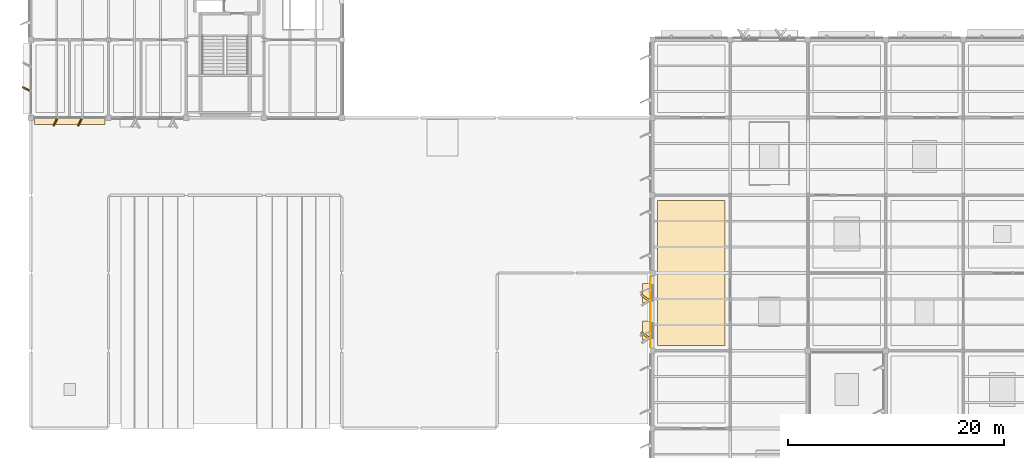
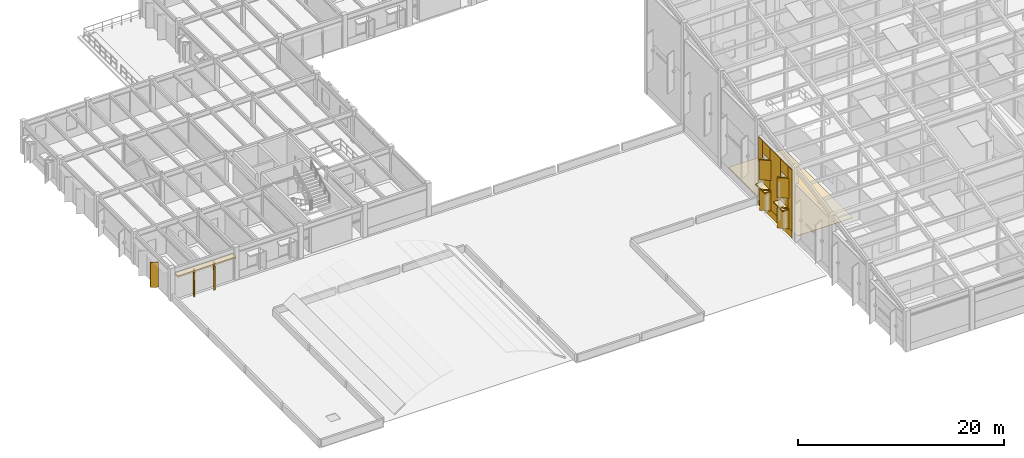
# One storey, part 71 of 82: 17 coverings.
"""IFC4 building model written with IfcOpenShell, lengths in metres."""

import ifcopenshell
import ifcopenshell.guid

model = None  # the IFC model being written
_history = None  # IfcOwnerHistory: only IFC2X3 demands one
_inside = {}  # id of a spatial element -> (the spatial element, [elements in it])
_under = {}  # id of a project, library or spatial element -> (it, [spatial elements below it])
_declared = {}  # id of a project -> (the project, [libraries it declares])
_typed = {}  # id of a type object -> (the type object, [elements of that type])
_made_of = {}  # id of a material, layer set ... -> (it, [elements and type objects made of it])


def new_model(schema):
    """Start an empty IFC model of exactly this schema.

    Asked for "IFC4X3", IfcOpenShell would pick the latest addendum, in which some entities
    have other attributes; the version numbers below select the first issue.
    IFC2X3 requires an IfcOwnerHistory on every rooted entity: one is made here for all.
    """
    global model, _history
    if schema == "IFC4X3":
        model = ifcopenshell.file(schema_version=(4, 3, 0, 0))
    else:
        model = ifcopenshell.file(schema=schema)
    _inside.clear()
    _under.clear()
    _declared.clear()
    _typed.clear()
    _made_of.clear()
    _history = None
    if model.schema == "IFC2X3":
        org = make("IfcOrganization", Name="unknown")
        user = make(
            "IfcPersonAndOrganization",
            ThePerson=make("IfcPerson", FamilyName="unknown"),
            TheOrganization=org,
        )
        app = make(
            "IfcApplication",
            ApplicationDeveloper=org,
            Version="unknown",
            ApplicationFullName="unknown",
            ApplicationIdentifier="unknown",
        )
        _history = make(
            "IfcOwnerHistory",
            OwningUser=user,
            OwningApplication=app,
            ChangeAction="ADDED",
            CreationDate=0,
        )
    return model


def make(cls, **values):
    """One entity of the class cls with the attributes given. An attribute that is None is left unset."""
    return model.create_entity(
        cls, **{name: value for name, value in values.items() if value is not None}
    )


def rooted(cls, **values):
    """An entity with a GlobalId (a new one), such as an element, a storey or a relation."""
    return make(cls, GlobalId=ifcopenshell.guid.new(), OwnerHistory=_history, **values)


def si_unit(unit_type, name, prefix=None):
    """IfcSIUnit, for example si_unit("LENGTHUNIT", "METRE", prefix="MILLI")."""
    return make("IfcSIUnit", UnitType=unit_type, Prefix=prefix, Name=name)


def assignment(units):
    """IfcUnitAssignment: the units of a project."""
    return None if units is None else make("IfcUnitAssignment", Units=units)


def point(xyz):
    """IfcCartesianPoint."""
    return None if xyz is None else make("IfcCartesianPoint", Coordinates=xyz)


def direction(xyz):
    """IfcDirection."""
    return None if xyz is None else make("IfcDirection", DirectionRatios=xyz)


def frame(location, z_axis=None, x_axis=None):
    """IfcAxis2Placement3D, a coordinate frame: its origin and axes. An axis left out is left unset."""
    return make(
        "IfcAxis2Placement3D",
        Location=point(location),
        Axis=direction(z_axis),
        RefDirection=direction(x_axis),
    )


def frame_2d(location, x_axis=None):
    """IfcAxis2Placement2D, a coordinate frame in the plane: its origin and x axis."""
    return make(
        "IfcAxis2Placement2D", Location=point(location), RefDirection=direction(x_axis)
    )


def origin():
    """The frame at (0, 0, 0) with its axes left unset."""
    return frame((0.0, 0.0, 0.0))


def place(relative_to, where):
    """IfcLocalPlacement: puts the frame where relative to a parent placement (None: the world)."""
    return make(
        "IfcLocalPlacement", PlacementRelTo=relative_to, RelativePlacement=where
    )


def context(
    kind, dimensions, precision=None, world=None, true_north=None, identifier=None
):
    """IfcGeometricRepresentationContext, for example the 3D "Model" context."""
    return make(
        "IfcGeometricRepresentationContext",
        ContextIdentifier=identifier,
        ContextType=kind,
        CoordinateSpaceDimension=dimensions,
        Precision=precision,
        WorldCoordinateSystem=world,
        TrueNorth=true_north,
    )


def subcontext(parent, identifier, kind, view, scale=None):
    """IfcGeometricRepresentationSubContext, for example "Body" below "Model"."""
    return make(
        "IfcGeometricRepresentationSubContext",
        ContextIdentifier=identifier,
        ContextType=kind,
        ParentContext=parent,
        TargetScale=scale,
        TargetView=view,
    )


def project(units=None, contexts=None):
    """IfcProject with its units and contexts."""
    return rooted(
        "IfcProject",
        Name="project",
        RepresentationContexts=contexts,
        UnitsInContext=assignment(units),
    )


def spatial(cls, under=None, at=None, **own):
    """A site, building, storey or space (cls), placed at a placement, below another one or the project."""
    s = rooted(cls, ObjectPlacement=at, **own)
    if under is not None:
        _under.setdefault(under.id(), (under, []))[1].append(s)
    return s


def polyline(points):
    """IfcPolyline through the points."""
    return make("IfcPolyline", Points=[point(p) for p in points])


def profile(cls, at=None, kind="AREA", **sizes):
    """A parametric profile (cls). Its sizes go by their IFC names, for example OverallWidth=200.0."""
    return make(cls, ProfileType=kind, Position=at, **sizes)


def rectangle(**sizes):
    """IfcRectangleProfileDef."""
    return profile("IfcRectangleProfileDef", **sizes)


def outline(outer, holes=None, kind="AREA"):
    """IfcArbitraryClosedProfileDef: a profile drawn as a closed curve; with holes, ...WithVoids."""
    if holes is None:
        return make("IfcArbitraryClosedProfileDef", ProfileType=kind, OuterCurve=outer)
    return make(
        "IfcArbitraryProfileDefWithVoids",
        ProfileType=kind,
        OuterCurve=outer,
        InnerCurves=holes,
    )


def extrude(swept, where, along, depth):
    """IfcExtrudedAreaSolid: the profile swept, set in the frame where, extruded along a direction by depth."""
    return make(
        "IfcExtrudedAreaSolid",
        SweptArea=swept,
        Position=where,
        ExtrudedDirection=direction(along),
        Depth=depth,
    )


def shape(context_of_items, identifier, shape_type, items):
    """IfcShapeRepresentation: the items that make up one representation, for example the "Body"."""
    return make(
        "IfcShapeRepresentation",
        ContextOfItems=context_of_items,
        RepresentationIdentifier=identifier,
        RepresentationType=shape_type,
        Items=items,
    )


def material(Name=None, Category=None):
    """IfcMaterial."""
    return make("IfcMaterial", Name=Name, Category=Category)


def layer(
    of_material, thickness, ventilated=None, Name=None, Category=None, Priority=None
):
    """IfcMaterialLayer: one layer of a wall or slab, of a material (None: an air gap)."""
    return make(
        "IfcMaterialLayer",
        Material=of_material,
        LayerThickness=thickness,
        IsVentilated=ventilated,
        Name=Name,
        Category=Category,
        Priority=Priority,
    )


def layer_set(layers, Name=None):
    """IfcMaterialLayerSet."""
    return make("IfcMaterialLayerSet", MaterialLayers=layers, LayerSetName=Name)


def made_of(thing, what):
    """Note that an element or type object is made of a material, layer set ...; save() writes the relation."""
    if what is not None:
        _made_of.setdefault(what.id(), (what, []))[1].append(thing)
    return thing


def type_object(cls, material=None, **own):
    """A type object (cls), such as IfcWallType, which elements share."""
    return made_of(rooted(cls, **own), material)


def element(
    cls,
    number,
    at=None,
    inside=None,
    cuts=None,
    type_object=None,
    material=None,
    context=None,
    identifier="Body",
    shape_type=None,
    held_by="IfcProductDefinitionShape",
    body=None,
    shapes=None,
    **own,
):
    """One element of the class cls, such as IfcWall. Its Tag is "e" and its number.

    at: its placement. inside: the storey or other place that contains it. cuts: it is an
    opening in that element (IfcRelVoidsElement). A single representation is given by context,
    identifier, shape_type and body (its items); several are given by shapes. held_by: the class
    of the entity that holds the representations. save() writes the other relations.
    """
    e = rooted(cls, Tag="e%d" % number, ObjectPlacement=at, **own)
    if body is not None:
        shapes = [shape(context, identifier, shape_type, body)]
    if shapes is not None:
        e.Representation = make(held_by, Representations=shapes)
    if inside is not None:
        _inside.setdefault(inside.id(), (inside, []))[1].append(e)
    if cuts is not None:
        rooted(
            "IfcRelVoidsElement", RelatingBuildingElement=cuts, RelatedOpeningElement=e
        )
    if type_object is not None:
        _typed.setdefault(type_object.id(), (type_object, []))[1].append(e)
    return made_of(e, material)


def aggregate(whole, parts):
    """IfcRelAggregates: a whole, such as a stair, and the parts it consists of."""
    return rooted("IfcRelAggregates", RelatingObject=whole, RelatedObjects=parts)


def save(model, path):
    """Write the relations noted so far, then the file.

    IfcRelAggregates (storeys below a building ...), IfcRelContainedInSpatialStructure (elements
    in a storey), IfcRelDefinesByType, IfcRelAssociatesMaterial and IfcRelDeclares: one each for
    every whole, place, type object, material and project.
    """
    for whole, parts in _under.values():
        aggregate(whole, parts)
    for where, things in _inside.values():
        rooted(
            "IfcRelContainedInSpatialStructure",
            RelatedElements=things,
            RelatingStructure=where,
        )
    for kind, things in _typed.values():
        rooted("IfcRelDefinesByType", RelatedObjects=things, RelatingType=kind)
    for what, things in _made_of.values():
        rooted("IfcRelAssociatesMaterial", RelatedObjects=things, RelatingMaterial=what)
    for by, libraries in _declared.values():
        rooted("IfcRelDeclares", RelatingContext=by, RelatedDefinitions=libraries)
    model.write(path)


model = new_model("IFC4")

# Units and contexts
model_context = context("Model", 3, precision=1e-05, world=origin(), true_north=direction((0.0, 1.0)))
body_context = subcontext(model_context, "Body", "Model", "MODEL_VIEW")
ifc_project = project(units=[si_unit("LENGTHUNIT", "METRE"), si_unit("AREAUNIT", "SQUARE_METRE"), si_unit("VOLUMEUNIT", "CUBIC_METRE"), si_unit("PLANEANGLEUNIT", "RADIAN"), si_unit("MASSUNIT", "GRAM", prefix="KILO")], contexts=[model_context])

# Site, building, storey
site_placement = place(None, origin())
site = spatial("IfcSite", under=ifc_project, at=site_placement, CompositionType="ELEMENT")
building_placement = place(site_placement, origin())
building = spatial("IfcBuilding", under=site, at=building_placement, Name="Sillqori Civic Hall", CompositionType="ELEMENT")
storey_placement = place(building_placement, frame((0.0, 0.0, 14.10009765625)))
storey = spatial("IfcBuildingStorey", under=building, at=storey_placement, Name="L04", CompositionType="ELEMENT", Elevation=14.10009765625)

# Coverings
ifc_material_1 = material(Name="Cochabamba Honed Limestone Cladding", Category="masonry")
ifc_layer_1 = layer(ifc_material_1, 0.044921875)
ifc_layer_set_1 = layer_set([ifc_layer_1], Name="Cochabamba Honed Limestone Cladding")
covering_type_1 = type_object("IfcCoveringType", Name="COV-CLAD-LIME", PredefinedType="CLADDING", material=ifc_layer_set_1)
covering_1_placement = place(storey_placement, frame((14.070068359375, 50.080078125, 2.91796875), z_axis=(0.0, 0.0, 1.0), x_axis=(-1.0, 0.0, 0.0)))
element("IfcCovering", 1, at=covering_1_placement, inside=storey, type_object=covering_type_1, Name="L04 curtain-wall limestone solar hood L04-01-07-S", PredefinedType="CLADDING", context=body_context, shape_type="SweptSolid", body=[
    extrude(rectangle(XDim=6.5400390625, YDim=0.679931640625, at=frame_2d((3.27001953125, 0.0))), origin(), (0.0, 0.0, 1.0), 0.179931640625),
])
for number, where, z_axis, x_axis, name in (
    (2, (11.93896484375, 50.35009765625, 0.059814453125), (0.0, 0.0, 1.0), (-0.44697098964, -0.894548452807, 0.0), "L04 curtain-wall angled stone fin L04-01-07-S.1"),
    (3, (9.660888671875, 50.35009765625, 0.059814453125), (0.0, 0.0, 1.0), (-0.44697098964, -0.894548452807, 0.0), "L04 curtain-wall angled stone fin L04-01-07-S.2"),
):
    element("IfcCovering", number, at=place(storey_placement, frame(where, z_axis=z_axis, x_axis=x_axis)), inside=storey, type_object=covering_type_1, Name=name, PredefinedType="CLADDING", context=body_context, shape_type="SweptSolid", body=[
        extrude(rectangle(XDim=0.80517578125, YDim=0.139892578125, at=frame_2d((0.402587890625, 0.0))), origin(), (0.0, 0.0, 1.0), 2.858154296875),
    ])
covering_2_placement = place(storey_placement, frame((7.14990234375, 52.861083984375, 0.059814453125), z_axis=(0.0, 0.0, 1.0), x_axis=(-0.894487846579, 0.44709226377, 0.0)))
element("IfcCovering", 4, at=covering_2_placement, inside=storey, type_object=covering_type_1, Name="L04 curtain-wall angled stone fin L04-01-07-W.1", PredefinedType="CLADDING", context=body_context, shape_type="SweptSolid", body=[
    extrude(rectangle(XDim=0.804931640625, YDim=0.139892578125, at=frame_2d((0.40234375, 0.0))), origin(), (0.0, 0.0, 1.0), 2.93212890625),
])
covering_3_placement = place(storey_placement, frame((64.6201171875, 29.1298828125, 0.039794921875), z_axis=(0.0, 0.0, 1.0), x_axis=(0.0, 1.0, 0.0)))
element("IfcCovering", 5, at=covering_3_placement, inside=storey, type_object=covering_type_1, Name="L04 limestone spandrel cladding L04-09-04-W", PredefinedType="CLADDING", context=body_context, shape_type="SweptSolid", body=[
    extrude(rectangle(XDim=6.5400390625, YDim=0.044921875, at=frame_2d((3.27001953125, 0.0))), origin(), (0.0, 0.0, 1.0), 0.860107421875),
])
covering_4_placement = place(storey_placement, frame((64.6201171875, 29.1298828125, 3.219970703125), z_axis=(0.0, 0.0, 1.0), x_axis=(0.0, 1.0, 0.0)))
element("IfcCovering", 6, at=covering_4_placement, inside=storey, type_object=covering_type_1, Name="L04 limestone mid-spandrel cladding L04-09-04-W", PredefinedType="CLADDING", context=body_context, shape_type="SweptSolid", body=[
    extrude(rectangle(XDim=6.5400390625, YDim=0.044921875, at=frame_2d((3.27001953125, 0.0))), origin(), (0.0, 0.0, 1.0), 1.260009765625),
])
covering_5_placement = place(storey_placement, frame((64.6201171875, 29.1298828125, 6.719970703125), z_axis=(0.0, 0.0, 1.0), x_axis=(0.0, 1.0, 0.0)))
element("IfcCovering", 7, at=covering_5_placement, inside=storey, type_object=covering_type_1, Name="L04 limestone frieze cladding L04-09-04-W", PredefinedType="CLADDING", context=body_context, shape_type="SweptSolid", body=[
    extrude(rectangle(XDim=6.5400390625, YDim=0.044921875, at=frame_2d((3.27001953125, 0.0))), origin(), (0.0, 0.0, 1.0), 1.4619140625),
])
covering_6_placement = place(storey_placement, frame((64.6201171875, 29.1298828125, 0.89990234375), z_axis=(0.0, 0.0, 1.0), x_axis=(0.0, 1.0, 0.0)))
element("IfcCovering", 8, at=covering_6_placement, inside=storey, type_object=covering_type_1, Name="L04 Wedge Hall limestone pier cladding L04-09-04-W.1", PredefinedType="CLADDING", context=body_context, shape_type="SweptSolid", body=[
    extrude(rectangle(XDim=0.7880859375, YDim=0.044921875, at=frame_2d((0.39404296875, 0.0))), origin(), (0.0, 0.0, 1.0), 7.281982421875),
])
covering_7_placement = place(storey_placement, frame((64.6201171875, 31.39794921875, 0.89990234375), z_axis=(0.0, 0.0, 1.0), x_axis=(0.0, 1.0, 0.0)))
element("IfcCovering", 9, at=covering_7_placement, inside=storey, type_object=covering_type_1, Name="L04 Wedge Hall limestone pier cladding L04-09-04-W.2", PredefinedType="CLADDING", context=body_context, shape_type="SweptSolid", body=[
    extrude(rectangle(XDim=2.004150390625, YDim=0.044921875, at=frame_2d((1.001953125, 0.0))), origin(), (0.0, 0.0, 1.0), 7.281982421875),
])
covering_8_placement = place(storey_placement, frame((64.6201171875, 34.882080078125, 0.89990234375), z_axis=(0.0, 0.0, 1.0), x_axis=(0.0, 1.0, 0.0)))
element("IfcCovering", 10, at=covering_8_placement, inside=storey, type_object=covering_type_1, Name="L04 Wedge Hall limestone pier cladding L04-09-04-W.3", PredefinedType="CLADDING", context=body_context, shape_type="SweptSolid", body=[
    extrude(rectangle(XDim=0.787841796875, YDim=0.044921875, at=frame_2d((0.39404296875, 0.0))), origin(), (0.0, 0.0, 1.0), 7.281982421875),
])
covering_9_placement = place(storey_placement, frame((64.659912109375, 29.837890625, 0.829833984375), z_axis=(0.0, 0.0, 1.0), x_axis=(-0.809002213092, 0.587805596445, 0.0)))
element("IfcCovering", 11, at=covering_9_placement, inside=storey, type_object=covering_type_1, Name="Sawtooth limestone angled reveal cheek L04-09-04-W.1", PredefinedType="CLADDING", context=body_context, shape_type="SweptSolid", body=[
    extrude(rectangle(XDim=1.150146484375, YDim=0.179931640625, at=frame_2d((0.5751953125, 0.0))), origin(), (0.0, 0.0, 1.0), 2.400146484375),
])
covering_10_placement = place(storey_placement, frame((64.280029296875, 29.778076171875, 3.08984375), z_axis=(0.0, 0.0, 1.0), x_axis=(0.0, 1.0, 0.0)))
element("IfcCovering", 12, at=covering_10_placement, inside=storey, type_object=covering_type_1, Name="Sawtooth limestone window hood L04-09-04-W.1", PredefinedType="CLADDING", context=body_context, shape_type="SweptSolid", body=[
    extrude(rectangle(XDim=1.760009765625, YDim=0.780029296875, at=frame_2d((0.8798828125, 0.0))), origin(), (0.0, 0.0, 1.0), 0.14013671875),
])
covering_11_placement = place(storey_placement, frame((64.659912109375, 29.837890625, 4.449951171875), z_axis=(0.0, 0.0, 1.0), x_axis=(-0.809002213092, 0.587805596445, 0.0)))
element("IfcCovering", 13, at=covering_11_placement, inside=storey, type_object=covering_type_1, Name="Sawtooth limestone upper reveal cheek L04-09-04-W.1", PredefinedType="CLADDING", context=body_context, shape_type="SweptSolid", body=[
    extrude(rectangle(XDim=1.150146484375, YDim=0.179931640625, at=frame_2d((0.5751953125, 0.0))), origin(), (0.0, 0.0, 1.0), 2.35986328125),
])
covering_12_placement = place(storey_placement, frame((64.659912109375, 33.322021484375, 0.829833984375), z_axis=(0.0, 0.0, 1.0), x_axis=(-0.809002213092, 0.587805596445, 0.0)))
element("IfcCovering", 14, at=covering_12_placement, inside=storey, type_object=covering_type_1, Name="Sawtooth limestone angled reveal cheek L04-09-04-W.2", PredefinedType="CLADDING", context=body_context, shape_type="SweptSolid", body=[
    extrude(rectangle(XDim=1.150146484375, YDim=0.179931640625, at=frame_2d((0.5751953125, 0.0))), origin(), (0.0, 0.0, 1.0), 2.400146484375),
])
covering_13_placement = place(storey_placement, frame((64.280029296875, 33.261962890625, 3.08984375), z_axis=(0.0, 0.0, 1.0), x_axis=(0.0, 1.0, 0.0)))
element("IfcCovering", 15, at=covering_13_placement, inside=storey, type_object=covering_type_1, Name="Sawtooth limestone window hood L04-09-04-W.2", PredefinedType="CLADDING", context=body_context, shape_type="SweptSolid", body=[
    extrude(rectangle(XDim=1.760009765625, YDim=0.780029296875, at=frame_2d((0.8798828125, 0.0))), origin(), (0.0, 0.0, 1.0), 0.14013671875),
])
covering_14_placement = place(storey_placement, frame((64.659912109375, 33.322021484375, 4.449951171875), z_axis=(0.0, 0.0, 1.0), x_axis=(-0.809002213092, 0.587805596445, 0.0)))
element("IfcCovering", 16, at=covering_14_placement, inside=storey, type_object=covering_type_1, Name="Sawtooth limestone upper reveal cheek L04-09-04-W.2", PredefinedType="CLADDING", context=body_context, shape_type="SweptSolid", body=[
    extrude(rectangle(XDim=1.150146484375, YDim=0.179931640625, at=frame_2d((0.5751953125, 0.0))), origin(), (0.0, 0.0, 1.0), 2.35986328125),
])
ifc_material_2 = material(Name="Honed Comanche Sandstone Paving 38", Category="masonry")
ifc_layer_2 = layer(ifc_material_2, 0.0380859375)
ifc_layer_set_2 = layer_set([ifc_layer_2], Name="Honed Comanche Sandstone Paving 38")
covering_type_2 = type_object("IfcCoveringType", Name="COV-FLR-S38", PredefinedType="FLOORING", material=ifc_layer_set_2)
covering_15_placement = place(storey_placement, origin())
element("IfcCovering", 17, at=covering_15_placement, inside=storey, type_object=covering_type_2, Name="Citizen Innovation and Open-Data Studio floor finish", PredefinedType="FLOORING", context=body_context, shape_type="SweptSolid", body=[
    extrude(outline(polyline([(65.280029296875, 29.280029296875), (71.52001953125, 29.280029296875), (71.52001953125, 42.719970703125), (65.280029296875, 42.719970703125), (65.280029296875, 29.280029296875)])), origin(), (0.0, 0.0, 1.0), 0.037841796875),
])

save(model, "model.ifc")
